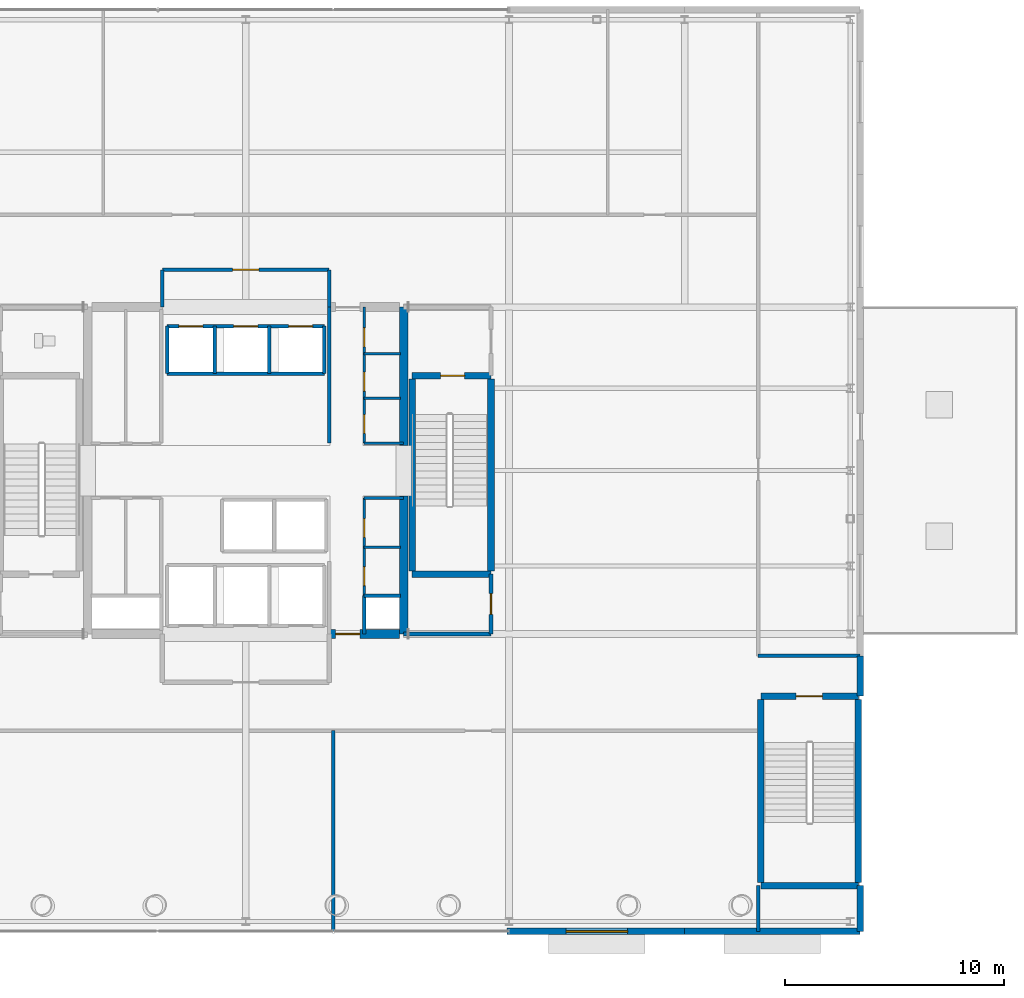
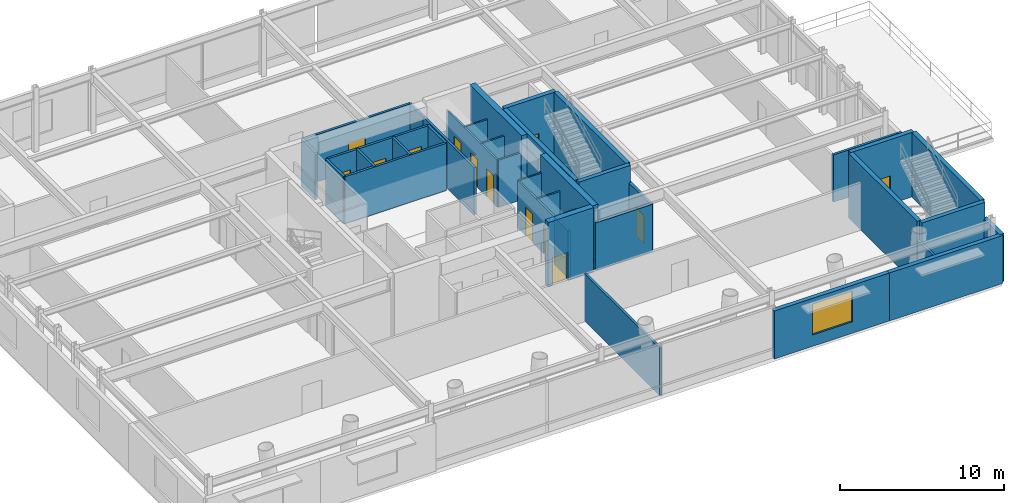
# One storey, part 16 of 22: 39 walls, 13 doors, 1 window, 14 openings.
"""IFC4 building model written with IfcOpenShell, lengths in metres."""

from ifc_helpers import new_model, si_unit, direction, frame, frame_2d, origin, place, context, subcontext, project, spatial, rectangle, extrude, material, layer, layer_set, type_object, element, fill, save


model = new_model("IFC4")

# Units and contexts
model_context = context("Model", 3, precision=1e-05, world=origin(), true_north=direction((0.0, 1.0)))
body_context = subcontext(model_context, "Body", "Model", "MODEL_VIEW")
ifc_project = project(units=[si_unit("LENGTHUNIT", "METRE"), si_unit("AREAUNIT", "SQUARE_METRE"), si_unit("VOLUMEUNIT", "CUBIC_METRE"), si_unit("PLANEANGLEUNIT", "RADIAN"), si_unit("MASSUNIT", "GRAM", prefix="KILO")], contexts=[model_context])

# Site, building, storey
site_placement = place(None, origin())
site = spatial("IfcSite", under=ifc_project, at=site_placement, CompositionType="ELEMENT")
building_placement = place(site_placement, origin())
building = spatial("IfcBuilding", under=site, at=building_placement, Name="Veldorina Hangang Commons", CompositionType="ELEMENT")
storey_placement = place(building_placement, frame((0.0, 0.0, 14.800048828125)))
storey = spatial("IfcBuildingStorey", under=building, at=storey_placement, Name="L03", CompositionType="ELEMENT", Elevation=14.800048828125)

# Walls
ifc_material_1 = material(Name="Concrete C70/85", Category="concrete")
ifc_layer_1 = layer(ifc_material_1, 0.39990234375)
ifc_layer_set_1 = layer_set([ifc_layer_1], Name="Concrete C70/85")
wall_type_1 = type_object("IfcWallType", Name="CW-RC400-C70", PredefinedType="SHEAR", material=ifc_layer_set_1)
for number, where, z_axis, x_axis, name in (
    (1, (39.199951171875, 16.550048828125, 0.0), (0.0, 0.0, 1.0), (0.0, 1.0, 0.0), "L03 E south core shear wall"),
    (2, (39.199951171875, 25.14990234375, 0.0), (0.0, 0.0, 1.0), (0.0, 1.0, 0.0), "L03 E north core shear wall"),
):
    element("IfcWall", number, at=place(storey_placement, frame(where, z_axis=z_axis, x_axis=x_axis)), inside=storey, type_object=wall_type_1, Name=name, PredefinedType="SHEAR", context=body_context, shape_type="SweptSolid", body=[
        extrude(rectangle(XDim=6.300048828125, YDim=0.39990234375, at=frame_2d((3.14990234375, 0.0))), origin(), (0.0, 0.0, 1.0), 4.800048828125),
    ])

# Wall, opening, door
wall_1_placement = place(storey_placement, frame((35.800048828125, 16.550048828125, 0.0), z_axis=(0.0, 0.0, 1.0), x_axis=(1.0, 0.0, 0.0)))
wall_1 = element("IfcWall", 3, at=wall_1_placement, inside=storey, type_object=wall_type_1, Name="L03 south-east core shear wall", PredefinedType="SHEAR", context=body_context, shape_type="SweptSolid", body=[
    extrude(rectangle(XDim=3.199951171875, YDim=0.39990234375, at=frame_2d((1.60009765625, 0.0))), origin(), (0.0, 0.0, 1.0), 4.800048828125),
])
opening_1_placement = place(wall_1_placement, frame((0.300048828125, 0.0, 0.0)))
opening_1 = element("IfcOpeningElement", 4, at=opening_1_placement, cuts=wall_1, Name="Opening D-08", PredefinedType="OPENING", context=body_context, shape_type="SweptSolid", body=[
    extrude(rectangle(XDim=1.10009765625, YDim=2.10009765625, at=frame_2d((0.550048828125, 1.050048828125))), frame((0.0, 0.2099609375, 0.0), z_axis=(0.0, -1.0, 0.0), x_axis=(1.0, 0.0, 0.0)), (0.0, 0.0, 1.0), 0.419921875),
])
ifc_material_2 = material(Name="Steel Fire-Rated Smoke Seal", Category="steel")
door_type_1 = type_object("IfcDoorType", Name="DR-FIRE-1100", OperationType="SINGLE_SWING_RIGHT", PredefinedType="DOOR", material=ifc_material_2)
door_1_placement = place(opening_1_placement, origin())
door_1 = element("IfcDoor", 5, at=door_1_placement, inside=storey, type_object=door_type_1, Name="L03 central lift lobby south corridor door", OperationType="SINGLE_SWING_RIGHT", OverallHeight=2.10009765625, OverallWidth=1.10009765625, PredefinedType="DOOR", context=body_context, shape_type="SweptSolid", body=[
    extrude(rectangle(XDim=1.10009765625, YDim=2.10009765625, at=frame_2d((0.550048828125, 1.050048828125))), frame((0.0, 0.02490234375, 0.0), z_axis=(0.0, -1.0, 0.0), x_axis=(1.0, 0.0, 0.0)), (0.0, 0.0, 1.0), 0.050048828125),
])
fill(opening_1, door_1)

# Wall, opening, window
ifc_material_3 = material(Name="Stone Roman Travertine", Category="masonry")
ifc_layer_2 = layer(ifc_material_3, 0.300048828125)
ifc_layer_set_2 = layer_set([ifc_layer_2], Name="Stone Roman Travertine")
wall_type_2 = type_object("IfcWallType", Name="EW-TRAV-300", PredefinedType="STANDARD", material=ifc_layer_set_2)
wall_2_placement = place(storey_placement, frame((43.905029296875, 3.0, 0.0), z_axis=(0.0, 0.0, 1.0), x_axis=(1.0, 0.0, 0.0)))
wall_2 = element("IfcWall", 6, at=wall_2_placement, inside=storey, type_object=wall_type_2, Name="L03 south podium stone wall S6", PredefinedType="STANDARD", context=body_context, shape_type="SweptSolid", body=[
    extrude(rectangle(XDim=8.094970703125, YDim=0.300048828125, at=frame_2d((4.04736328125, 0.0))), origin(), (0.0, 0.0, 1.0), 3.570068359375),
])
opening_2_placement = place(wall_2_placement, frame((2.695068359375, 0.0, 0.85009765625)))
opening_2 = element("IfcOpeningElement", 7, at=opening_2_placement, cuts=wall_2, Name="Opening W-06", PredefinedType="OPENING", context=body_context, shape_type="SweptSolid", body=[
    extrude(rectangle(XDim=2.800048828125, YDim=2.300048828125, at=frame_2d((1.39990234375, 1.14990234375))), frame((0.0, 0.16015625, 0.0), z_axis=(0.0, -1.0, 0.0), x_axis=(1.0, 0.0, 0.0)), (0.0, 0.0, 1.0), 0.320068359375),
])
ifc_material_4 = material(Name="Glass Acoustic Laminated", Category="glass")
window_type = type_object("IfcWindowType", Name="WIN-POD-2800", PartitioningType="SINGLE_PANEL", PredefinedType="WINDOW", material=ifc_material_4)
window_placement = place(opening_2_placement, origin())
window = element("IfcWindow", 8, at=window_placement, inside=storey, type_object=window_type, Name="L03 south podium window S6", OverallHeight=2.300048828125, OverallWidth=2.800048828125, PartitioningType="SINGLE_PANEL", PredefinedType="WINDOW", context=body_context, shape_type="SweptSolid", body=[
    extrude(rectangle(XDim=2.800048828125, YDim=2.300048828125, at=frame_2d((1.39990234375, 1.14990234375))), frame((0.0, 0.030029296875, 0.0), z_axis=(0.0, -1.0, 0.0), x_axis=(1.0, 0.0, 0.0)), (0.0, 0.0, 1.0), 0.06005859375),
])
fill(opening_2, window)

# Walls
wall_3_placement = place(storey_placement, frame((52.0, 3.0, 0.0), z_axis=(0.0, 0.0, 1.0), x_axis=(1.0, 0.0, 0.0)))
element("IfcWall", 9, at=wall_3_placement, inside=storey, type_object=wall_type_2, Name="L03 south podium stone wall S7", PredefinedType="STANDARD", context=body_context, shape_type="SweptSolid", body=[
    extrude(rectangle(XDim=8.0, YDim=0.300048828125, at=frame_2d((4.0, 0.0))), origin(), (0.0, 0.0, 1.0), 3.570068359375),
])
wall_4_placement = place(storey_placement, frame((60.0, 3.0, 0.0), z_axis=(0.0, 0.0, 1.0), x_axis=(0.0, 1.0, 0.0)))
element("IfcWall", 10, at=wall_4_placement, inside=storey, type_object=wall_type_2, Name="L03 east podium stone wall E1", PredefinedType="STANDARD", context=body_context, shape_type="SweptSolid", body=[
    extrude(rectangle(XDim=2.080078125, YDim=0.300048828125, at=frame_2d((1.0400390625, 0.0))), origin(), (0.0, 0.0, 1.0), 3.570068359375),
])
wall_5_placement = place(storey_placement, frame((60.0, 13.719970703125, 0.0), z_axis=(0.0, 0.0, 1.0), x_axis=(0.0, 1.0, 0.0)))
element("IfcWall", 11, at=wall_5_placement, inside=storey, type_object=wall_type_2, Name="L03 east podium stone wall E3", PredefinedType="STANDARD", context=body_context, shape_type="SweptSolid", body=[
    extrude(rectangle(XDim=1.830078125, YDim=0.300048828125, at=frame_2d((0.9150390625, 0.0))), origin(), (0.0, 0.0, 1.0), 3.570068359375),
])
ifc_material_5 = material(Name="Concrete C50/60", Category="concrete")
ifc_layer_3 = layer(ifc_material_5, 0.300048828125)
ifc_layer_set_3 = layer_set([ifc_layer_3], Name="Concrete C50/60")
wall_type_3 = type_object("IfcWallType", Name="SW-STAIR-300", PredefinedType="SHEAR", material=ifc_layer_set_3)
for number, where, z_axis, x_axis, name in (
    (12, (43.179931640625, 19.429931640625, 0.0), (0.0, 0.0, 1.0), (0.0, 1.0, 0.0), "L03 ST2 outer stair shear wall"),
    (13, (39.580078125, 19.429931640625, 0.0), (0.0, 0.0, 1.0), (0.0, 1.0, 0.0), "L03 ST2 inner stair shear wall"),
):
    element("IfcWall", number, at=place(storey_placement, frame(where, z_axis=z_axis, x_axis=x_axis)), inside=storey, type_object=wall_type_3, Name=name, PredefinedType="SHEAR", context=body_context, shape_type="SweptSolid", body=[
        extrude(rectangle(XDim=8.739990234375, YDim=0.300048828125, at=frame_2d((4.3701171875, 0.0))), origin(), (0.0, 0.0, 1.0), 4.800048828125),
    ])
wall_6_placement = place(storey_placement, frame((39.580078125, 19.280029296875, 0.0), z_axis=(0.0, 0.0, 1.0), x_axis=(1.0, 0.0, 0.0)))
element("IfcWall", 14, at=wall_6_placement, inside=storey, type_object=wall_type_3, Name="L03 ST2 south stair shear wall", PredefinedType="SHEAR", context=body_context, shape_type="SweptSolid", body=[
    extrude(rectangle(XDim=3.599853515625, YDim=0.300048828125, at=frame_2d((1.7998046875, 0.0))), origin(), (0.0, 0.0, 1.0), 4.800048828125),
])

# Wall, opening, door
wall_7_placement = place(storey_placement, frame((39.580078125, 28.320068359375, 0.0), z_axis=(0.0, 0.0, 1.0), x_axis=(1.0, 0.0, 0.0)))
wall_7 = element("IfcWall", 15, at=wall_7_placement, inside=storey, type_object=wall_type_3, Name="L03 ST2 north stair shear wall", PredefinedType="SHEAR", context=body_context, shape_type="SweptSolid", body=[
    extrude(rectangle(XDim=3.599853515625, YDim=0.300048828125, at=frame_2d((1.7998046875, 0.0))), origin(), (0.0, 0.0, 1.0), 4.800048828125),
])
opening_3_placement = place(wall_7_placement, frame((1.300048828125, 0.0, 0.0)))
opening_3 = element("IfcOpeningElement", 16, at=opening_3_placement, cuts=wall_7, Name="Opening D-08", PredefinedType="OPENING", context=body_context, shape_type="SweptSolid", body=[
    extrude(rectangle(XDim=1.10009765625, YDim=2.10009765625, at=frame_2d((0.550048828125, 1.050048828125))), frame((0.0, 0.16015625, 0.0), z_axis=(0.0, -1.0, 0.0), x_axis=(1.0, 0.0, 0.0)), (0.0, 0.0, 1.0), 0.320068359375),
])
door_2_placement = place(opening_3_placement, origin())
door_2 = element("IfcDoor", 17, at=door_2_placement, inside=storey, type_object=door_type_1, Name="L03 Special Escape Stair ST-2 door", OperationType="SINGLE_SWING_RIGHT", OverallHeight=2.10009765625, OverallWidth=1.10009765625, PredefinedType="DOOR", context=body_context, shape_type="SweptSolid", body=[
    extrude(rectangle(XDim=1.10009765625, YDim=2.10009765625, at=frame_2d((0.550048828125, 1.050048828125))), frame((0.0, 0.02490234375, 0.0), z_axis=(0.0, -1.0, 0.0), x_axis=(1.0, 0.0, 0.0)), (0.0, 0.0, 1.0), 0.050048828125),
])
fill(opening_3, door_2)

# Walls
for number, where, z_axis, x_axis, name in (
    (18, (55.47998046875, 5.22998046875, 0.0), (0.0, 0.0, 1.0), (0.0, 1.0, 0.0), "L03 STP2 W stair shear wall"),
    (19, (59.919921875, 5.22998046875, 0.0), (0.0, 0.0, 1.0), (0.0, 1.0, 0.0), "L03 STP2 E stair shear wall"),
):
    element("IfcWall", number, at=place(storey_placement, frame(where, z_axis=z_axis, x_axis=x_axis)), inside=storey, type_object=wall_type_3, Name=name, PredefinedType="SHEAR", context=body_context, shape_type="SweptSolid", body=[
        extrude(rectangle(XDim=8.340087890625, YDim=0.300048828125, at=frame_2d((4.169921875, 0.0))), origin(), (0.0, 0.0, 1.0), 4.800048828125),
    ])
wall_8_placement = place(storey_placement, frame((55.47998046875, 5.080078125, 0.0), z_axis=(0.0, 0.0, 1.0), x_axis=(1.0, 0.0, 0.0)))
element("IfcWall", 20, at=wall_8_placement, inside=storey, type_object=wall_type_3, Name="L03 STP2 S stair shear wall", PredefinedType="SHEAR", context=body_context, shape_type="SweptSolid", body=[
    extrude(rectangle(XDim=4.43994140625, YDim=0.300048828125, at=frame_2d((2.219970703125, 0.0))), origin(), (0.0, 0.0, 1.0), 4.800048828125),
])

# Wall, opening, door
wall_9_placement = place(storey_placement, frame((55.47998046875, 13.719970703125, 0.0), z_axis=(0.0, 0.0, 1.0), x_axis=(1.0, 0.0, 0.0)))
wall_9 = element("IfcWall", 21, at=wall_9_placement, inside=storey, type_object=wall_type_3, Name="L03 STP2 N stair shear wall", PredefinedType="SHEAR", context=body_context, shape_type="SweptSolid", body=[
    extrude(rectangle(XDim=4.43994140625, YDim=0.300048828125, at=frame_2d((2.219970703125, 0.0))), origin(), (0.0, 0.0, 1.0), 4.800048828125),
])
opening_4_placement = place(wall_9_placement, frame((1.60009765625, 0.0, 0.0)))
opening_4 = element("IfcOpeningElement", 22, at=opening_4_placement, cuts=wall_9, Name="Opening D-09", PredefinedType="OPENING", context=body_context, shape_type="SweptSolid", body=[
    extrude(rectangle(XDim=1.199951171875, YDim=2.10009765625, at=frame_2d((0.60009765625, 1.050048828125))), frame((0.0, 0.16015625, 0.0), z_axis=(0.0, -1.0, 0.0), x_axis=(1.0, 0.0, 0.0)), (0.0, 0.0, 1.0), 0.320068359375),
])
ifc_material_6 = material(Name="Steel Fire-Rated Corridor Door", Category="steel")
door_type_2 = type_object("IfcDoorType", Name="DR-FIRE-1200", OperationType="SINGLE_SWING_LEFT", PredefinedType="DOOR", material=ifc_material_6)
door_3_placement = place(opening_4_placement, origin())
door_3 = element("IfcDoor", 23, at=door_3_placement, inside=storey, type_object=door_type_2, Name="L03 Podium Stair ST-P2 door", OperationType="SINGLE_SWING_RIGHT", OverallHeight=2.10009765625, OverallWidth=1.199951171875, PredefinedType="DOOR", context=body_context, shape_type="SweptSolid", body=[
    extrude(rectangle(XDim=1.199951171875, YDim=2.10009765625, at=frame_2d((0.60009765625, 1.050048828125))), frame((0.0, 0.02490234375, 0.0), z_axis=(0.0, -1.0, 0.0), x_axis=(1.0, 0.0, 0.0)), (0.0, 0.0, 1.0), 0.050048828125),
])
fill(opening_4, door_3)

# Walls
ifc_material_7 = material(Name="Gypsum Fire-Rated Twin Stud Wall", Category="gypsum")
ifc_layer_4 = layer(ifc_material_7, 0.159912109375)
ifc_layer_set_4 = layer_set([ifc_layer_4], Name="Gypsum Fire-Rated Twin Stud Wall")
wall_type_4 = type_object("IfcWallType", Name="WL-FIRE-160", PredefinedType="SOLIDWALL", material=ifc_layer_set_4)
wall_10_placement = place(storey_placement, frame((37.39990234375, 16.550048828125, 0.0), z_axis=(0.0, 0.0, 1.0), x_axis=(0.0, 1.0, 0.0)))
element("IfcWall", 24, at=wall_10_placement, inside=storey, type_object=wall_type_4, Name="L03 Lift passage SE stub 010", PredefinedType="SOLIDWALL", context=body_context, shape_type="SweptSolid", body=[
    extrude(rectangle(XDim=1.75, YDim=0.159912109375, at=frame_2d((0.875, 0.0))), origin(), (0.0, 0.0, 1.0), 3.52001953125),
])
wall_11_placement = place(storey_placement, frame((35.800048828125, 25.25, 0.0), z_axis=(0.0, 0.0, 1.0), x_axis=(0.0, 1.0, 0.0)))
element("IfcWall", 25, at=wall_11_placement, inside=storey, type_object=wall_type_4, Name="L03 Lift passage NW wall 011", PredefinedType="SOLIDWALL", context=body_context, shape_type="SweptSolid", body=[
    extrude(rectangle(XDim=6.199951171875, YDim=0.159912109375, at=frame_2d((3.10009765625, 0.0))), origin(), (0.0, 0.0, 1.0), 3.52001953125),
])

# Wall, openings, doors
wall_12_placement = place(storey_placement, frame((28.419921875, 30.580078125, 0.0), z_axis=(0.0, 0.0, 1.0), x_axis=(1.0, 0.0, 0.0)))
wall_12 = element("IfcWall", 26, at=wall_12_placement, inside=storey, type_object=wall_type_4, Name="L03 Low-bank front shaft wall 015", PredefinedType="SOLIDWALL", context=body_context, shape_type="SweptSolid", body=[
    extrude(rectangle(XDim=7.16015625, YDim=0.159912109375, at=frame_2d((3.580078125, 0.0))), origin(), (0.0, 0.0, 1.0), 3.52001953125),
])
opening_5_placement = place(wall_12_placement, frame((0.530029296875, 0.0, 0.0)))
opening_5 = element("IfcOpeningElement", 27, at=opening_5_placement, cuts=wall_12, Name="Opening LD-01", PredefinedType="OPENING", context=body_context, shape_type="SweptSolid", body=[
    extrude(rectangle(XDim=1.10009765625, YDim=2.14990234375, at=frame_2d((0.550048828125, 1.074951171875))), frame((0.0, 0.08984375, 0.0), z_axis=(0.0, -1.0, 0.0), x_axis=(1.0, 0.0, 0.0)), (0.0, 0.0, 1.0), 0.179931640625),
])
opening_6_placement = place(wall_12_placement, frame((3.030029296875, 0.0, 0.0)))
opening_6 = element("IfcOpeningElement", 28, at=opening_6_placement, cuts=wall_12, Name="Opening LD-01", PredefinedType="OPENING", context=body_context, shape_type="SweptSolid", body=[
    extrude(rectangle(XDim=1.10009765625, YDim=2.14990234375, at=frame_2d((0.550048828125, 1.074951171875))), frame((0.0, 0.08984375, 0.0), z_axis=(0.0, -1.0, 0.0), x_axis=(1.0, 0.0, 0.0)), (0.0, 0.0, 1.0), 0.179931640625),
])
opening_7_placement = place(wall_12_placement, frame((5.530029296875, 0.0, 0.0)))
opening_7 = element("IfcOpeningElement", 29, at=opening_7_placement, cuts=wall_12, Name="Opening LD-01", PredefinedType="OPENING", context=body_context, shape_type="SweptSolid", body=[
    extrude(rectangle(XDim=1.10009765625, YDim=2.14990234375, at=frame_2d((0.550048828125, 1.074951171875))), frame((0.0, 0.08984375, 0.0), z_axis=(0.0, -1.0, 0.0), x_axis=(1.0, 0.0, 0.0)), (0.0, 0.0, 1.0), 0.179931640625),
])
ifc_material_8 = material(Name="Stainless Steel Brushed Lift Door", Category="steel")
door_type_3 = type_object("IfcDoorType", Name="DR-LIFT-1100", OperationType="SLIDING_TO_LEFT", PredefinedType="DOOR", material=ifc_material_8)
door_4_placement = place(opening_5_placement, origin())
door_4 = element("IfcDoor", 30, at=door_4_placement, inside=storey, type_object=door_type_3, Name="L03 Lift PL-L1 landing door 006", OperationType="SLIDING_TO_LEFT", OverallHeight=2.14990234375, OverallWidth=1.10009765625, PredefinedType="DOOR", context=body_context, shape_type="SweptSolid", body=[
    extrude(rectangle(XDim=1.10009765625, YDim=2.14990234375, at=frame_2d((0.550048828125, 1.074951171875))), frame((0.0, 0.02490234375, 0.0), z_axis=(0.0, -1.0, 0.0), x_axis=(1.0, 0.0, 0.0)), (0.0, 0.0, 1.0), 0.050048828125),
])
fill(opening_5, door_4)
door_5_placement = place(opening_6_placement, origin())
door_5 = element("IfcDoor", 31, at=door_5_placement, inside=storey, type_object=door_type_3, Name="L03 Lift PL-L2 landing door 007", OperationType="SLIDING_TO_LEFT", OverallHeight=2.14990234375, OverallWidth=1.10009765625, PredefinedType="DOOR", context=body_context, shape_type="SweptSolid", body=[
    extrude(rectangle(XDim=1.10009765625, YDim=2.14990234375, at=frame_2d((0.550048828125, 1.074951171875))), frame((0.0, 0.02490234375, 0.0), z_axis=(0.0, -1.0, 0.0), x_axis=(1.0, 0.0, 0.0)), (0.0, 0.0, 1.0), 0.050048828125),
])
fill(opening_6, door_5)
door_6_placement = place(opening_7_placement, origin())
door_6 = element("IfcDoor", 32, at=door_6_placement, inside=storey, type_object=door_type_3, Name="L03 Lift PL-L3 landing door 008", OperationType="SLIDING_TO_LEFT", OverallHeight=2.14990234375, OverallWidth=1.10009765625, PredefinedType="DOOR", context=body_context, shape_type="SweptSolid", body=[
    extrude(rectangle(XDim=1.10009765625, YDim=2.14990234375, at=frame_2d((0.550048828125, 1.074951171875))), frame((0.0, 0.02490234375, 0.0), z_axis=(0.0, -1.0, 0.0), x_axis=(1.0, 0.0, 0.0)), (0.0, 0.0, 1.0), 0.050048828125),
])
fill(opening_7, door_6)

# Walls
wall_13_placement = place(storey_placement, frame((28.419921875, 28.419921875, 0.0), z_axis=(0.0, 0.0, 1.0), x_axis=(1.0, 0.0, 0.0)))
element("IfcWall", 33, at=wall_13_placement, inside=storey, type_object=wall_type_4, Name="L03 Low-bank rear shaft wall 016", PredefinedType="SOLIDWALL", context=body_context, shape_type="SweptSolid", body=[
    extrude(rectangle(XDim=7.16015625, YDim=0.159912109375, at=frame_2d((3.580078125, 0.0))), origin(), (0.0, 0.0, 1.0), 3.52001953125),
])
for number, where, z_axis, x_axis, name in (
    (34, (28.419921875, 28.419921875, 0.0), (0.0, 0.0, 1.0), (0.0, 1.0, 0.0), "L03 PL-L1 west shaft wall 017"),
    (35, (30.580078125, 28.419921875, 0.0), (0.0, 0.0, 1.0), (0.0, 1.0, 0.0), "L03 PL-L1 east shaft wall 018"),
    (36, (33.080078125, 28.419921875, 0.0), (0.0, 0.0, 1.0), (0.0, 1.0, 0.0), "L03 PL-L2 east shaft wall 019"),
    (37, (35.580078125, 28.419921875, 0.0), (0.0, 0.0, 1.0), (0.0, 1.0, 0.0), "L03 PL-L3 east shaft wall 020"),
):
    element("IfcWall", number, at=place(storey_placement, frame(where, z_axis=z_axis, x_axis=x_axis)), inside=storey, type_object=wall_type_4, Name=name, PredefinedType="SOLIDWALL", context=body_context, shape_type="SweptSolid", body=[
        extrude(rectangle(XDim=2.16015625, YDim=0.159912109375, at=frame_2d((1.080078125, 0.0))), origin(), (0.0, 0.0, 1.0), 3.52001953125),
    ])
for number, where, z_axis, x_axis, name in (
    (38, (28.199951171875, 31.449951171875, 0.0), (0.0, 0.0, 1.0), (0.0, 1.0, 0.0), "L03 North lobby west wall 032"),
    (39, (35.800048828125, 31.449951171875, 0.0), (0.0, 0.0, 1.0), (0.0, 1.0, 0.0), "L03 North lobby east wall 033"),
):
    element("IfcWall", number, at=place(storey_placement, frame(where, z_axis=z_axis, x_axis=x_axis)), inside=storey, type_object=wall_type_4, Name=name, PredefinedType="SOLIDWALL", context=body_context, shape_type="SweptSolid", body=[
        extrude(rectangle(XDim=1.699951171875, YDim=0.159912109375, at=frame_2d((0.85009765625, 0.0))), origin(), (0.0, 0.0, 1.0), 3.52001953125),
    ])

# Wall, opening, door
wall_14_placement = place(storey_placement, frame((28.199951171875, 33.14990234375, 0.0), z_axis=(0.0, 0.0, 1.0), x_axis=(1.0, 0.0, 0.0)))
wall_14 = element("IfcWall", 40, at=wall_14_placement, inside=storey, type_object=wall_type_4, Name="L03 North lobby north wall 034", PredefinedType="SOLIDWALL", context=body_context, shape_type="SweptSolid", body=[
    extrude(rectangle(XDim=7.60009765625, YDim=0.159912109375, at=frame_2d((3.800048828125, 0.0))), origin(), (0.0, 0.0, 1.0), 3.52001953125),
])
opening_8_placement = place(wall_14_placement, frame((3.199951171875, 0.0, 0.0)))
opening_8 = element("IfcOpeningElement", 41, at=opening_8_placement, cuts=wall_14, Name="Opening D-09", PredefinedType="OPENING", context=body_context, shape_type="SweptSolid", body=[
    extrude(rectangle(XDim=1.199951171875, YDim=2.10009765625, at=frame_2d((0.60009765625, 1.050048828125))), frame((0.0, 0.08984375, 0.0), z_axis=(0.0, -1.0, 0.0), x_axis=(1.0, 0.0, 0.0)), (0.0, 0.0, 1.0), 0.179931640625),
])
door_7_placement = place(opening_8_placement, origin())
door_7 = element("IfcDoor", 42, at=door_7_placement, inside=storey, type_object=door_type_2, Name="L03 North lift lobby corridor door 012", OperationType="SINGLE_SWING_RIGHT", OverallHeight=2.10009765625, OverallWidth=1.199951171875, PredefinedType="DOOR", context=body_context, shape_type="SweptSolid", body=[
    extrude(rectangle(XDim=1.199951171875, YDim=2.10009765625, at=frame_2d((0.60009765625, 1.050048828125))), frame((0.0, 0.02490234375, 0.0), z_axis=(0.0, -1.0, 0.0), x_axis=(1.0, 0.0, 0.0)), (0.0, 0.0, 1.0), 0.050048828125),
])
fill(opening_8, door_7)

# Walls
wall_15_placement = place(storey_placement, frame((37.39990234375, 18.300048828125, 0.0), z_axis=(0.0, 0.0, 1.0), x_axis=(1.0, 0.0, 0.0)))
element("IfcWall", 43, at=wall_15_placement, inside=storey, type_object=wall_type_4, Name="L03 Plumbing riser wall 037", PredefinedType="SOLIDWALL", context=body_context, shape_type="SweptSolid", body=[
    extrude(rectangle(XDim=1.650146484375, YDim=0.159912109375, at=frame_2d((0.8251953125, 0.0))), origin(), (0.0, 0.0, 1.0), 3.52001953125),
])
wall_16_placement = place(storey_placement, frame((55.35009765625, 15.550048828125, 0.0), z_axis=(0.0, 0.0, 1.0), x_axis=(1.0, 0.0, 0.0)))
element("IfcWall", 44, at=wall_16_placement, inside=storey, type_object=wall_type_4, Name="L03 L03 east room south wall 055", PredefinedType="SOLIDWALL", context=body_context, shape_type="SweptSolid", body=[
    extrude(rectangle(XDim=4.64990234375, YDim=0.159912109375, at=frame_2d((2.324951171875, 0.0))), origin(), (0.0, 0.0, 1.0), 3.52001953125),
])
wall_17_placement = place(storey_placement, frame((36.0, 3.0, 0.0), z_axis=(0.0, 0.0, 1.0), x_axis=(0.0, 1.0, 0.0)))
element("IfcWall", 45, at=wall_17_placement, inside=storey, type_object=wall_type_4, Name="L03 Library-stacks wall 057", PredefinedType="SOLIDWALL", context=body_context, shape_type="SweptSolid", body=[
    extrude(rectangle(XDim=9.14990234375, YDim=0.159912109375, at=frame_2d((4.574951171875, 0.0))), origin(), (0.0, 0.0, 1.0), 3.52001953125),
])
wall_18_placement = place(storey_placement, frame((55.35009765625, 3.0, 0.0), z_axis=(0.0, 0.0, 1.0), x_axis=(0.0, 1.0, 0.0)))
element("IfcWall", 46, at=wall_18_placement, inside=storey, type_object=wall_type_4, Name="L03 Stacks SE stub wall 058", PredefinedType="SOLIDWALL", context=body_context, shape_type="SweptSolid", body=[
    extrude(rectangle(XDim=2.080078125, YDim=0.159912109375, at=frame_2d((1.0400390625, 0.0))), origin(), (0.0, 0.0, 1.0), 3.52001953125),
])

# Wall, opening, door
ifc_material_9 = material(Name="Concrete Blockwork Fire Wall C30/37", Category="masonry")
ifc_layer_5 = layer(ifc_material_9, 0.199951171875)
ifc_layer_set_5 = layer_set([ifc_layer_5], Name="Concrete Blockwork Fire Wall C30/37")
wall_type_5 = type_object("IfcWallType", Name="WL-FIRE-200", PredefinedType="SOLIDWALL", material=ifc_layer_set_5)
wall_19_placement = place(storey_placement, frame((43.179931640625, 16.550048828125, 0.0), z_axis=(0.0, 0.0, 1.0), x_axis=(0.0, 1.0, 0.0)))
wall_19 = element("IfcWall", 47, at=wall_19_placement, inside=storey, type_object=wall_type_5, Name="L03 SE core room outer wall 007", PredefinedType="SOLIDWALL", context=body_context, shape_type="SweptSolid", body=[
    extrude(rectangle(XDim=2.72998046875, YDim=0.199951171875, at=frame_2d((1.364990234375, 0.0))), origin(), (0.0, 0.0, 1.0), 3.52001953125),
])
opening_9_placement = place(wall_19_placement, frame((0.889892578125, 0.0, 0.0)))
opening_9 = element("IfcOpeningElement", 48, at=opening_9_placement, cuts=wall_19, Name="Opening D-02", PredefinedType="OPENING", context=body_context, shape_type="SweptSolid", body=[
    extrude(rectangle(XDim=0.949951171875, YDim=2.10009765625, at=frame_2d((0.47509765625, 1.050048828125))), frame((0.0, 0.10986328125, 0.0), z_axis=(0.0, -1.0, 0.0), x_axis=(1.0, 0.0, 0.0)), (0.0, 0.0, 1.0), 0.219970703125),
])
ifc_material_10 = material(Name="Timber Solid Core Acoustic", Category="wood")
door_type_4 = type_object("IfcDoorType", Name="DR-INT-950", OperationType="SINGLE_SWING_LEFT", PredefinedType="DOOR", material=ifc_material_10)
door_8_placement = place(opening_9_placement, origin())
door_8 = element("IfcDoor", 49, at=door_8_placement, inside=storey, type_object=door_type_4, Name="L03 SE core WC door 004", OperationType="SINGLE_SWING_RIGHT", OverallHeight=2.10009765625, OverallWidth=0.949951171875, PredefinedType="DOOR", context=body_context, shape_type="SweptSolid", body=[
    extrude(rectangle(XDim=0.949951171875, YDim=2.10009765625, at=frame_2d((0.47509765625, 1.050048828125))), frame((0.0, 0.02490234375, 0.0), z_axis=(0.0, -1.0, 0.0), x_axis=(1.0, 0.0, 0.0)), (0.0, 0.0, 1.0), 0.050048828125),
])
fill(opening_9, door_8)

# Wall
wall_20_placement = place(storey_placement, frame((39.199951171875, 16.550048828125, 0.0), z_axis=(0.0, 0.0, 1.0), x_axis=(1.0, 0.0, 0.0)))
element("IfcWall", 50, at=wall_20_placement, inside=storey, type_object=wall_type_5, Name="L03 SE core room south wall 008", PredefinedType="SOLIDWALL", context=body_context, shape_type="SweptSolid", body=[
    extrude(rectangle(XDim=3.97998046875, YDim=0.199951171875, at=frame_2d((1.989990234375, 0.0))), origin(), (0.0, 0.0, 1.0), 3.52001953125),
])

# Wall, openings, doors
ifc_material_11 = material(Name="Gypsum Acoustic Stud Partition", Category="gypsum")
ifc_layer_6 = layer(ifc_material_11, 0.1201171875)
ifc_layer_set_6 = layer_set([ifc_layer_6], Name="Gypsum Acoustic Stud Partition")
wall_type_6 = type_object("IfcWallType", Name="WL-PART-120", PredefinedType="PARTITIONING", material=ifc_layer_set_6)
wall_21_placement = place(storey_placement, frame((37.39990234375, 25.25, 0.0), z_axis=(0.0, 0.0, 1.0), x_axis=(0.0, 1.0, 0.0)))
wall_21 = element("IfcWall", 51, at=wall_21_placement, inside=storey, type_object=wall_type_6, Name="L03 NE strip lobby wall 041", PredefinedType="PARTITIONING", context=body_context, shape_type="SweptSolid", body=[
    extrude(rectangle(XDim=6.199951171875, YDim=0.1201171875, at=frame_2d((3.10009765625, 0.0))), origin(), (0.0, 0.0, 1.0), 3.52001953125),
])
opening_10_placement = place(wall_21_placement, frame((0.43994140625, 0.0, 0.0)))
opening_10 = element("IfcOpeningElement", 52, at=opening_10_placement, cuts=wall_21, Name="Opening D-01", PredefinedType="OPENING", context=body_context, shape_type="SweptSolid", body=[
    extrude(rectangle(XDim=0.860107421875, YDim=2.10009765625, at=frame_2d((0.43017578125, 1.050048828125))), frame((0.0, 0.070068359375, 0.0), z_axis=(0.0, -1.0, 0.0), x_axis=(1.0, 0.0, 0.0)), (0.0, 0.0, 1.0), 0.14013671875),
])
opening_11_placement = place(wall_21_placement, frame((2.3701171875, 0.0, 0.0)))
opening_11 = element("IfcOpeningElement", 53, at=opening_11_placement, cuts=wall_21, Name="Opening D-01", PredefinedType="OPENING", context=body_context, shape_type="SweptSolid", body=[
    extrude(rectangle(XDim=0.860107421875, YDim=2.10009765625, at=frame_2d((0.43017578125, 1.050048828125))), frame((0.0, 0.070068359375, 0.0), z_axis=(0.0, -1.0, 0.0), x_axis=(1.0, 0.0, 0.0)), (0.0, 0.0, 1.0), 0.14013671875),
])
opening_12_placement = place(wall_21_placement, frame((4.389892578125, 0.0, 0.0)))
opening_12 = element("IfcOpeningElement", 54, at=opening_12_placement, cuts=wall_21, Name="Opening D-01", PredefinedType="OPENING", context=body_context, shape_type="SweptSolid", body=[
    extrude(rectangle(XDim=0.860107421875, YDim=2.10009765625, at=frame_2d((0.43017578125, 1.050048828125))), frame((0.0, 0.070068359375, 0.0), z_axis=(0.0, -1.0, 0.0), x_axis=(1.0, 0.0, 0.0)), (0.0, 0.0, 1.0), 0.14013671875),
])
ifc_material_12 = material(Name="Timber Moisture-Resistant Core", Category="wood")
door_type_5 = type_object("IfcDoorType", Name="DR-WET-860", OperationType="SINGLE_SWING_LEFT", PredefinedType="DOOR", material=ifc_material_12)
door_9_placement = place(opening_10_placement, origin())
door_9 = element("IfcDoor", 55, at=door_9_placement, inside=storey, type_object=door_type_5, Name="L03 Fiber Riser Closet door 017", OperationType="SINGLE_SWING_LEFT", OverallHeight=2.10009765625, OverallWidth=0.860107421875, PredefinedType="DOOR", context=body_context, shape_type="SweptSolid", body=[
    extrude(rectangle(XDim=0.860107421875, YDim=2.10009765625, at=frame_2d((0.43017578125, 1.050048828125))), frame((0.0, 0.02490234375, 0.0), z_axis=(0.0, -1.0, 0.0), x_axis=(1.0, 0.0, 0.0)), (0.0, 0.0, 1.0), 0.050048828125),
])
fill(opening_10, door_9)
door_10_placement = place(opening_11_placement, origin())
door_10 = element("IfcDoor", 56, at=door_10_placement, inside=storey, type_object=door_type_5, Name="L03 AV Rack Closet door 018", OperationType="SINGLE_SWING_RIGHT", OverallHeight=2.10009765625, OverallWidth=0.860107421875, PredefinedType="DOOR", context=body_context, shape_type="SweptSolid", body=[
    extrude(rectangle(XDim=0.860107421875, YDim=2.10009765625, at=frame_2d((0.43017578125, 1.050048828125))), frame((0.0, 0.02490234375, 0.0), z_axis=(0.0, -1.0, 0.0), x_axis=(1.0, 0.0, 0.0)), (0.0, 0.0, 1.0), 0.050048828125),
])
fill(opening_11, door_10)
door_11_placement = place(opening_12_placement, origin())
door_11 = element("IfcDoor", 57, at=door_11_placement, inside=storey, type_object=door_type_5, Name="L03 Supply Closet door 019", OperationType="SINGLE_SWING_LEFT", OverallHeight=2.10009765625, OverallWidth=0.860107421875, PredefinedType="DOOR", context=body_context, shape_type="SweptSolid", body=[
    extrude(rectangle(XDim=0.860107421875, YDim=2.10009765625, at=frame_2d((0.43017578125, 1.050048828125))), frame((0.0, 0.02490234375, 0.0), z_axis=(0.0, -1.0, 0.0), x_axis=(1.0, 0.0, 0.0)), (0.0, 0.0, 1.0), 0.050048828125),
])
fill(opening_12, door_11)

# Wall
wall_22_placement = place(storey_placement, frame((37.39990234375, 25.25, 0.0), z_axis=(0.0, 0.0, 1.0), x_axis=(1.0, 0.0, 0.0)))
element("IfcWall", 58, at=wall_22_placement, inside=storey, type_object=wall_type_6, Name="L03 NE strip south return wall 042", PredefinedType="PARTITIONING", context=body_context, shape_type="SweptSolid", body=[
    extrude(rectangle(XDim=1.800048828125, YDim=0.1201171875, at=frame_2d((0.89990234375, 0.0))), origin(), (0.0, 0.0, 1.0), 3.52001953125),
])

# Wall, openings, doors
wall_23_placement = place(storey_placement, frame((37.39990234375, 18.300048828125, 0.0), z_axis=(0.0, 0.0, 1.0), x_axis=(0.0, 1.0, 0.0)))
wall_23 = element("IfcWall", 59, at=wall_23_placement, inside=storey, type_object=wall_type_6, Name="L03 SE strip lobby wall 043", PredefinedType="PARTITIONING", context=body_context, shape_type="SweptSolid", body=[
    extrude(rectangle(XDim=4.449951171875, YDim=0.1201171875, at=frame_2d((2.22509765625, 0.0))), origin(), (0.0, 0.0, 1.0), 3.52001953125),
])
opening_13_placement = place(wall_23_placement, frame((0.449951171875, 0.0, 0.0)))
opening_13 = element("IfcOpeningElement", 60, at=opening_13_placement, cuts=wall_23, Name="Opening D-01", PredefinedType="OPENING", context=body_context, shape_type="SweptSolid", body=[
    extrude(rectangle(XDim=0.860107421875, YDim=2.10009765625, at=frame_2d((0.43017578125, 1.050048828125))), frame((0.0, 0.070068359375, 0.0), z_axis=(0.0, -1.0, 0.0), x_axis=(1.0, 0.0, 0.0)), (0.0, 0.0, 1.0), 0.14013671875),
])
opening_14_placement = place(wall_23_placement, frame((2.64990234375, 0.0, 0.0)))
opening_14 = element("IfcOpeningElement", 61, at=opening_14_placement, cuts=wall_23, Name="Opening D-01", PredefinedType="OPENING", context=body_context, shape_type="SweptSolid", body=[
    extrude(rectangle(XDim=0.860107421875, YDim=2.10009765625, at=frame_2d((0.43017578125, 1.050048828125))), frame((0.0, 0.070068359375, 0.0), z_axis=(0.0, -1.0, 0.0), x_axis=(1.0, 0.0, 0.0)), (0.0, 0.0, 1.0), 0.14013671875),
])
door_12_placement = place(opening_13_placement, origin())
door_12 = element("IfcDoor", 62, at=door_12_placement, inside=storey, type_object=door_type_5, Name="L03 Janitor sink door 020", OperationType="SINGLE_SWING_RIGHT", OverallHeight=2.10009765625, OverallWidth=0.860107421875, PredefinedType="DOOR", context=body_context, shape_type="SweptSolid", body=[
    extrude(rectangle(XDim=0.860107421875, YDim=2.10009765625, at=frame_2d((0.43017578125, 1.050048828125))), frame((0.0, 0.02490234375, 0.0), z_axis=(0.0, -1.0, 0.0), x_axis=(1.0, 0.0, 0.0)), (0.0, 0.0, 1.0), 0.050048828125),
])
fill(opening_13, door_12)
door_13_placement = place(opening_14_placement, origin())
door_13 = element("IfcDoor", 63, at=door_13_placement, inside=storey, type_object=door_type_5, Name="L03 Fire panel door 021", OperationType="SINGLE_SWING_LEFT", OverallHeight=2.10009765625, OverallWidth=0.860107421875, PredefinedType="DOOR", context=body_context, shape_type="SweptSolid", body=[
    extrude(rectangle(XDim=0.860107421875, YDim=2.10009765625, at=frame_2d((0.43017578125, 1.050048828125))), frame((0.0, 0.02490234375, 0.0), z_axis=(0.0, -1.0, 0.0), x_axis=(1.0, 0.0, 0.0)), (0.0, 0.0, 1.0), 0.050048828125),
])
fill(opening_14, door_13)

# Walls
wall_24_placement = place(storey_placement, frame((37.39990234375, 22.75, 0.0), z_axis=(0.0, 0.0, 1.0), x_axis=(1.0, 0.0, 0.0)))
element("IfcWall", 64, at=wall_24_placement, inside=storey, type_object=wall_type_6, Name="L03 SE strip north return wall 044", PredefinedType="PARTITIONING", context=body_context, shape_type="SweptSolid", body=[
    extrude(rectangle(XDim=1.800048828125, YDim=0.1201171875, at=frame_2d((0.89990234375, 0.0))), origin(), (0.0, 0.0, 1.0), 3.52001953125),
])
for number, where, z_axis, x_axis, name in (
    (65, (37.39990234375, 27.300048828125, 0.0), (0.0, 0.0, 1.0), (1.0, 0.0, 0.0), "L03 NE split 1 047"),
    (66, (37.39990234375, 29.330078125, 0.0), (0.0, 0.0, 1.0), (1.0, 0.0, 0.0), "L03 NE split 2 048"),
    (67, (37.39990234375, 20.5, 0.0), (0.0, 0.0, 1.0), (1.0, 0.0, 0.0), "L03 SE horizontal split 049"),
):
    element("IfcWall", number, at=place(storey_placement, frame(where, z_axis=z_axis, x_axis=x_axis)), inside=storey, type_object=wall_type_6, Name=name, PredefinedType="PARTITIONING", context=body_context, shape_type="SweptSolid", body=[
        extrude(rectangle(XDim=1.650146484375, YDim=0.1201171875, at=frame_2d((0.8251953125, 0.0))), origin(), (0.0, 0.0, 1.0), 3.52001953125),
    ])

save(model, "model.ifc")
